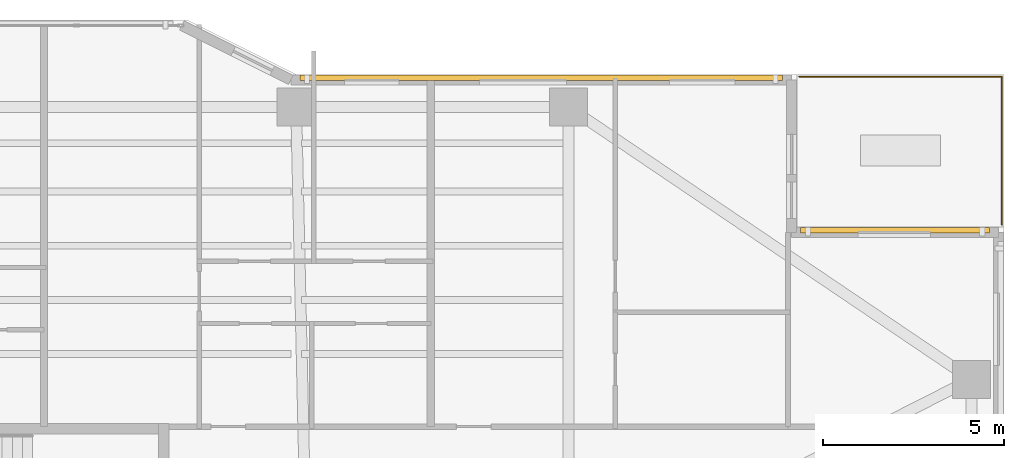
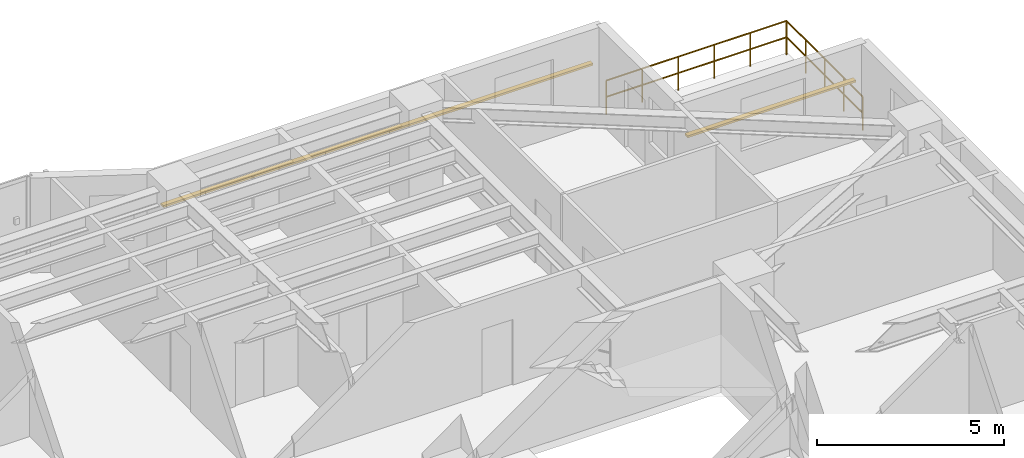
# One storey, part 19 of 19: 2 railings, 2 shading devices.
"""IFC4 building model written with IfcOpenShell, lengths in metres."""

from ifc_helpers import new_model, si_unit, direction, frame, origin, origin_2d, place, context, subcontext, project, spatial, rectangle, circle, extrude, material, material_profile, profile_set, type_object, element, save


model = new_model("IFC4")

# Units and contexts
model_context = context("Model", 3, precision=1e-05, world=origin(), true_north=direction((0.0, 1.0)))
body_context = subcontext(model_context, "Body", "Model", "MODEL_VIEW")
ifc_project = project(units=[si_unit("LENGTHUNIT", "METRE"), si_unit("AREAUNIT", "SQUARE_METRE"), si_unit("VOLUMEUNIT", "CUBIC_METRE"), si_unit("PLANEANGLEUNIT", "RADIAN"), si_unit("MASSUNIT", "GRAM", prefix="KILO")], contexts=[model_context])

# Site, building, storey
site_placement = place(None, origin())
site = spatial("IfcSite", under=ifc_project, at=site_placement, CompositionType="ELEMENT")
building_placement = place(site_placement, origin())
building = spatial("IfcBuilding", under=site, at=building_placement, Name="Tarnavaz Court Tower", CompositionType="ELEMENT")
storey_placement = place(building_placement, frame((0.0, 0.0, 78.300048828125)))
storey = spatial("IfcBuildingStorey", under=building, at=storey_placement, Name="L20", CompositionType="ELEMENT", Elevation=78.300048828125)

# Railings
ifc_material_1 = material(Name="Anodised Aluminium 6063-T6 and Laminated Safety Glass", Category="aluminium")
railing_type = type_object("IfcRailingType", Name="RL-BAL-1120", PredefinedType="BALUSTRADE", material=ifc_material_1)
railing_1_placement = place(storey_placement, frame((26.93994140625, 18.06005859375, 0.0)))
element("IfcRailing", 1, at=railing_1_placement, inside=storey, type_object=railing_type, Name="L20 Terrace 1 E Perimeter Balustrade", PredefinedType="BALUSTRADE", context=body_context, shape_type="SweptSolid", body=[
    extrude(circle(Radius=0.02392578125, at=origin_2d()), frame((0.0, 0.0, 1.09619140625), z_axis=(0.0, 1.0, 0.0), x_axis=(-1.0, 0.0, 0.0)), (0.0, 0.0, 1.0), 4.079833984375),
    extrude(circle(Radius=0.02392578125, at=origin_2d()), frame((0.0, 0.0, 0.56005859375), z_axis=(0.0, 1.0, 0.0), x_axis=(-1.0, 0.0, 0.0)), (0.0, 0.0, 1.0), 4.079833984375),
    extrude(circle(Radius=0.02099609375, at=origin_2d()), origin(), (0.0, 0.0, 1.0), 1.072021484375),
    extrude(circle(Radius=0.02099609375, at=origin_2d()), frame((0.0, 1.02001953125, 0.0)), (0.0, 0.0, 1.0), 1.072021484375),
    extrude(circle(Radius=0.02099609375, at=origin_2d()), frame((0.0, 2.0400390625, 0.0)), (0.0, 0.0, 1.0), 1.072021484375),
    extrude(circle(Radius=0.02099609375, at=origin_2d()), frame((0.0, 3.059814453125, 0.0)), (0.0, 0.0, 1.0), 1.072021484375),
    extrude(circle(Radius=0.02099609375, at=origin_2d()), frame((0.0, 4.079833984375, 0.0)), (0.0, 0.0, 1.0), 1.072021484375),
])
railing_2_placement = place(storey_placement, frame((26.93994140625, 22.139892578125, 0.0)))
element("IfcRailing", 2, at=railing_2_placement, inside=storey, type_object=railing_type, Name="L20 Terrace 1 N Perimeter Balustrade", PredefinedType="BALUSTRADE", context=body_context, shape_type="SweptSolid", body=[
    extrude(circle(Radius=0.02392578125, at=origin_2d()), frame((0.0, 0.0, 1.09619140625), z_axis=(-1.0, 0.0, 0.0), x_axis=(0.0, -1.0, 0.0)), (0.0, 0.0, 1.0), 5.579833984375),
    extrude(circle(Radius=0.02392578125, at=origin_2d()), frame((0.0, 0.0, 0.56005859375), z_axis=(-1.0, 0.0, 0.0), x_axis=(0.0, -1.0, 0.0)), (0.0, 0.0, 1.0), 5.579833984375),
    extrude(circle(Radius=0.02099609375, at=origin_2d()), origin(), (0.0, 0.0, 1.0), 1.072021484375),
    extrude(circle(Radius=0.02099609375, at=origin_2d()), frame((-1.115966796875, 0.0, 0.0)), (0.0, 0.0, 1.0), 1.072021484375),
    extrude(circle(Radius=0.02099609375, at=origin_2d()), frame((-2.23193359375, 0.0, 0.0)), (0.0, 0.0, 1.0), 1.072021484375),
    extrude(circle(Radius=0.02099609375, at=origin_2d()), frame((-3.347900390625, 0.0, 0.0)), (0.0, 0.0, 1.0), 1.072021484375),
    extrude(circle(Radius=0.02099609375, at=origin_2d()), frame((-4.4638671875, 0.0, 0.0)), (0.0, 0.0, 1.0), 1.072021484375),
    extrude(circle(Radius=0.02099609375, at=origin_2d()), frame((-5.579833984375, 0.0, 0.0)), (0.0, 0.0, 1.0), 1.072021484375),
])

# Shading devices
ifc_material_2 = material(Name="Kiln-Fired Khorasan Terracotta Ceramic", Category="masonry")
ifc_material_profile = material_profile(ifc_material_2, rectangle(XDim=0.14990234375, YDim=0.06494140625, at=origin_2d()), Name="TC BAGUETTE 150X65")
ifc_profile_set = profile_set([ifc_material_profile], Name="Kiln-Fired Khorasan Terracotta Ceramic")
shading_device_type = type_object("IfcShadingDeviceType", Name="SD-BAG-150", PredefinedType="USERDEFINED", material=ifc_profile_set)
shading_device_1_placement = place(storey_placement, frame((7.60009765625, 22.110107421875, 1.849853515625), z_axis=(1.0, 0.0, 0.0), x_axis=(0.0, 1.0, 0.0)))
element("IfcShadingDevice", 3, at=shading_device_1_placement, inside=storey, type_object=shading_device_type, Name="L20 Terracotta Baguette Screen FBG09", ObjectType="BAGUETTE", PredefinedType="USERDEFINED", context=body_context, shape_type="SweptSolid", body=[
    extrude(rectangle(XDim=0.14990234375, YDim=0.06494140625, at=origin_2d()), origin(), (0.0, 0.0, 1.0), 13.2998046875),
])
shading_device_2_placement = place(storey_placement, frame((21.39990234375, 17.909912109375, 1.849853515625), z_axis=(1.0, 0.0, 0.0), x_axis=(0.0, 1.0, 0.0)))
element("IfcShadingDevice", 4, at=shading_device_2_placement, inside=storey, type_object=shading_device_type, Name="L20 Terracotta Baguette Screen FBG11", ObjectType="BAGUETTE", PredefinedType="USERDEFINED", context=body_context, shape_type="SweptSolid", body=[
    extrude(rectangle(XDim=0.14990234375, YDim=0.06494140625, at=origin_2d()), origin(), (0.0, 0.0, 1.0), 5.2001953125),
])

save(model, "model.ifc")
